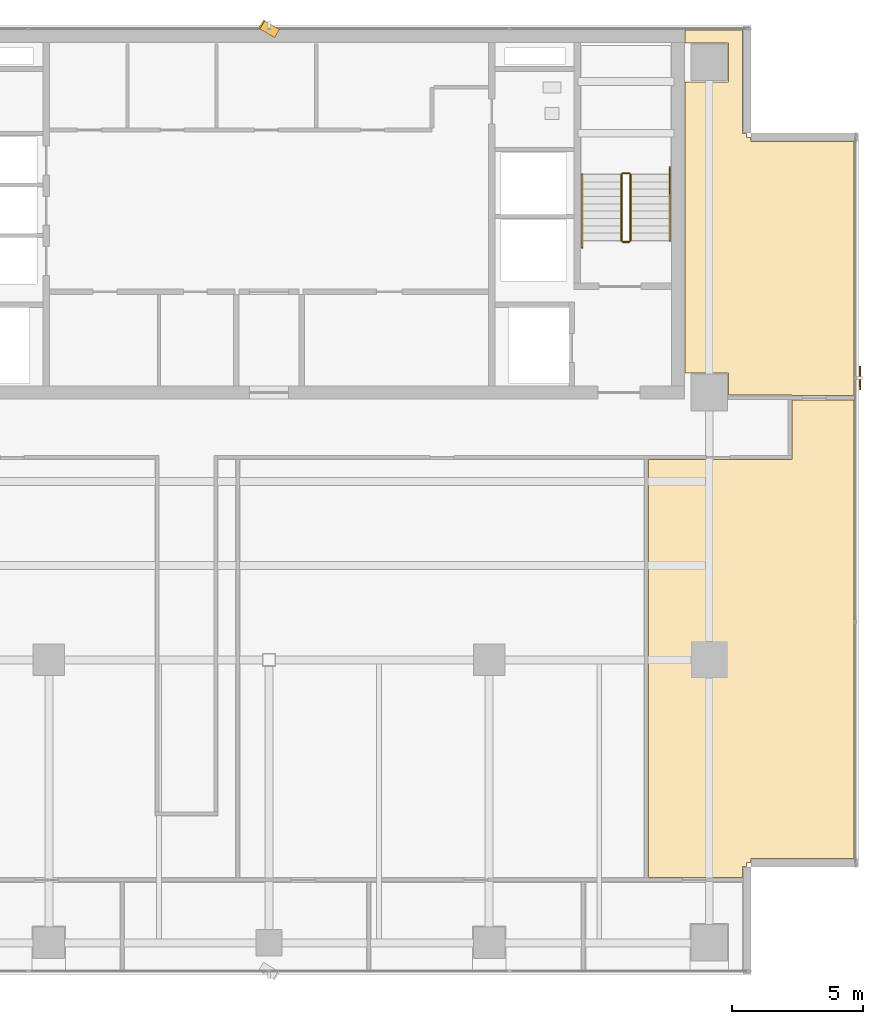
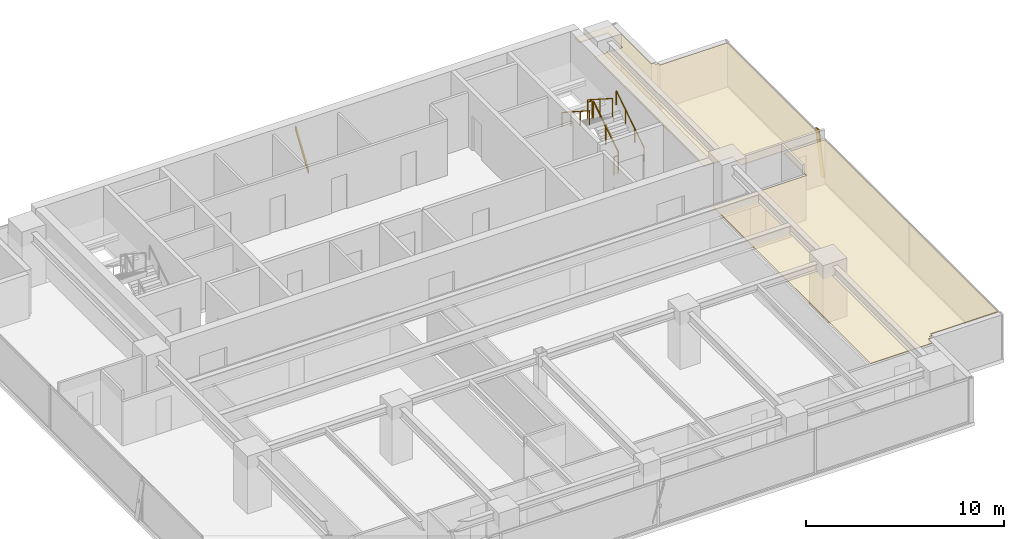
# One storey, part 24 of 25: 6 railings, 2 coverings, 2 shading devices.
"""IFC4 building model written with IfcOpenShell, lengths in metres."""

import ifcopenshell
import ifcopenshell.guid

model = None  # the IFC model being written
_history = None  # IfcOwnerHistory: only IFC2X3 demands one
_inside = {}  # id of a spatial element -> (the spatial element, [elements in it])
_under = {}  # id of a project, library or spatial element -> (it, [spatial elements below it])
_declared = {}  # id of a project -> (the project, [libraries it declares])
_typed = {}  # id of a type object -> (the type object, [elements of that type])
_made_of = {}  # id of a material, layer set ... -> (it, [elements and type objects made of it])


def new_model(schema):
    """Start an empty IFC model of exactly this schema.

    Asked for "IFC4X3", IfcOpenShell would pick the latest addendum, in which some entities
    have other attributes; the version numbers below select the first issue.
    IFC2X3 requires an IfcOwnerHistory on every rooted entity: one is made here for all.
    """
    global model, _history
    if schema == "IFC4X3":
        model = ifcopenshell.file(schema_version=(4, 3, 0, 0))
    else:
        model = ifcopenshell.file(schema=schema)
    _inside.clear()
    _under.clear()
    _declared.clear()
    _typed.clear()
    _made_of.clear()
    _history = None
    if model.schema == "IFC2X3":
        org = make("IfcOrganization", Name="unknown")
        user = make(
            "IfcPersonAndOrganization",
            ThePerson=make("IfcPerson", FamilyName="unknown"),
            TheOrganization=org,
        )
        app = make(
            "IfcApplication",
            ApplicationDeveloper=org,
            Version="unknown",
            ApplicationFullName="unknown",
            ApplicationIdentifier="unknown",
        )
        _history = make(
            "IfcOwnerHistory",
            OwningUser=user,
            OwningApplication=app,
            ChangeAction="ADDED",
            CreationDate=0,
        )
    return model


def make(cls, **values):
    """One entity of the class cls with the attributes given. An attribute that is None is left unset."""
    return model.create_entity(
        cls, **{name: value for name, value in values.items() if value is not None}
    )


def rooted(cls, **values):
    """An entity with a GlobalId (a new one), such as an element, a storey or a relation."""
    return make(cls, GlobalId=ifcopenshell.guid.new(), OwnerHistory=_history, **values)


def si_unit(unit_type, name, prefix=None):
    """IfcSIUnit, for example si_unit("LENGTHUNIT", "METRE", prefix="MILLI")."""
    return make("IfcSIUnit", UnitType=unit_type, Prefix=prefix, Name=name)


def assignment(units):
    """IfcUnitAssignment: the units of a project."""
    return None if units is None else make("IfcUnitAssignment", Units=units)


def point(xyz):
    """IfcCartesianPoint."""
    return None if xyz is None else make("IfcCartesianPoint", Coordinates=xyz)


def direction(xyz):
    """IfcDirection."""
    return None if xyz is None else make("IfcDirection", DirectionRatios=xyz)


def frame(location, z_axis=None, x_axis=None):
    """IfcAxis2Placement3D, a coordinate frame: its origin and axes. An axis left out is left unset."""
    return make(
        "IfcAxis2Placement3D",
        Location=point(location),
        Axis=direction(z_axis),
        RefDirection=direction(x_axis),
    )


def frame_2d(location, x_axis=None):
    """IfcAxis2Placement2D, a coordinate frame in the plane: its origin and x axis."""
    return make(
        "IfcAxis2Placement2D", Location=point(location), RefDirection=direction(x_axis)
    )


def origin():
    """The frame at (0, 0, 0) with its axes left unset."""
    return frame((0.0, 0.0, 0.0))


def origin_2d():
    """The frame at (0, 0) in the plane with its x axis left unset."""
    return frame_2d((0.0, 0.0))


def place(relative_to, where):
    """IfcLocalPlacement: puts the frame where relative to a parent placement (None: the world)."""
    return make(
        "IfcLocalPlacement", PlacementRelTo=relative_to, RelativePlacement=where
    )


def context(
    kind, dimensions, precision=None, world=None, true_north=None, identifier=None
):
    """IfcGeometricRepresentationContext, for example the 3D "Model" context."""
    return make(
        "IfcGeometricRepresentationContext",
        ContextIdentifier=identifier,
        ContextType=kind,
        CoordinateSpaceDimension=dimensions,
        Precision=precision,
        WorldCoordinateSystem=world,
        TrueNorth=true_north,
    )


def subcontext(parent, identifier, kind, view, scale=None):
    """IfcGeometricRepresentationSubContext, for example "Body" below "Model"."""
    return make(
        "IfcGeometricRepresentationSubContext",
        ContextIdentifier=identifier,
        ContextType=kind,
        ParentContext=parent,
        TargetScale=scale,
        TargetView=view,
    )


def project(units=None, contexts=None):
    """IfcProject with its units and contexts."""
    return rooted(
        "IfcProject",
        Name="project",
        RepresentationContexts=contexts,
        UnitsInContext=assignment(units),
    )


def spatial(cls, under=None, at=None, **own):
    """A site, building, storey or space (cls), placed at a placement, below another one or the project."""
    s = rooted(cls, ObjectPlacement=at, **own)
    if under is not None:
        _under.setdefault(under.id(), (under, []))[1].append(s)
    return s


def polyline(points):
    """IfcPolyline through the points."""
    return make("IfcPolyline", Points=[point(p) for p in points])


def profile(cls, at=None, kind="AREA", **sizes):
    """A parametric profile (cls). Its sizes go by their IFC names, for example OverallWidth=200.0."""
    return make(cls, ProfileType=kind, Position=at, **sizes)


def rectangle(**sizes):
    """IfcRectangleProfileDef."""
    return profile("IfcRectangleProfileDef", **sizes)


def outline(outer, holes=None, kind="AREA"):
    """IfcArbitraryClosedProfileDef: a profile drawn as a closed curve; with holes, ...WithVoids."""
    if holes is None:
        return make("IfcArbitraryClosedProfileDef", ProfileType=kind, OuterCurve=outer)
    return make(
        "IfcArbitraryProfileDefWithVoids",
        ProfileType=kind,
        OuterCurve=outer,
        InnerCurves=holes,
    )


def extrude(swept, where, along, depth):
    """IfcExtrudedAreaSolid: the profile swept, set in the frame where, extruded along a direction by depth."""
    return make(
        "IfcExtrudedAreaSolid",
        SweptArea=swept,
        Position=where,
        ExtrudedDirection=direction(along),
        Depth=depth,
    )


def shape(context_of_items, identifier, shape_type, items):
    """IfcShapeRepresentation: the items that make up one representation, for example the "Body"."""
    return make(
        "IfcShapeRepresentation",
        ContextOfItems=context_of_items,
        RepresentationIdentifier=identifier,
        RepresentationType=shape_type,
        Items=items,
    )


def source(mapping_origin, context_of_items, identifier, shape_type, items):
    """IfcRepresentationMap: a shape defined once, which mapped items show again and again."""
    return make(
        "IfcRepresentationMap",
        MappingOrigin=mapping_origin,
        MappedRepresentation=shape(context_of_items, identifier, shape_type, items),
    )


def transform(
    local_origin,
    x_axis=None,
    y_axis=None,
    z_axis=None,
    scale=None,
    scale2=None,
    scale3=None,
    uniform=True,
):
    """IfcCartesianTransformationOperator3D, or its non-uniform kind. x_axis, y_axis, z_axis: its Axis1, 2, 3."""
    if uniform:
        return make(
            "IfcCartesianTransformationOperator3D",
            Axis1=direction(x_axis),
            Axis2=direction(y_axis),
            LocalOrigin=point(local_origin),
            Scale=scale,
            Axis3=direction(z_axis),
        )
    return make(
        "IfcCartesianTransformationOperator3DnonUniform",
        Axis1=direction(x_axis),
        Axis2=direction(y_axis),
        LocalOrigin=point(local_origin),
        Scale=scale,
        Axis3=direction(z_axis),
        Scale2=scale2,
        Scale3=scale3,
    )


def mapped(mapping_source, mapping_target):
    """IfcMappedItem: shows the shape of a source again, moved by a transform."""
    return make(
        "IfcMappedItem", MappingSource=mapping_source, MappingTarget=mapping_target
    )


def material(Name=None, Category=None):
    """IfcMaterial."""
    return make("IfcMaterial", Name=Name, Category=Category)


def layer(
    of_material, thickness, ventilated=None, Name=None, Category=None, Priority=None
):
    """IfcMaterialLayer: one layer of a wall or slab, of a material (None: an air gap)."""
    return make(
        "IfcMaterialLayer",
        Material=of_material,
        LayerThickness=thickness,
        IsVentilated=ventilated,
        Name=Name,
        Category=Category,
        Priority=Priority,
    )


def layer_set(layers, Name=None):
    """IfcMaterialLayerSet."""
    return make("IfcMaterialLayerSet", MaterialLayers=layers, LayerSetName=Name)


def material_profile(
    of_material, cross_section, Name=None, Category=None, Priority=None
):
    """IfcMaterialProfile: a cross section and its material."""
    return make(
        "IfcMaterialProfile",
        Name=Name,
        Material=of_material,
        Profile=cross_section,
        Priority=Priority,
        Category=Category,
    )


def profile_set(profiles, Name=None, composite=None):
    """IfcMaterialProfileSet."""
    return make(
        "IfcMaterialProfileSet",
        Name=Name,
        MaterialProfiles=profiles,
        CompositeProfile=composite,
    )


def made_of(thing, what):
    """Note that an element or type object is made of a material, layer set ...; save() writes the relation."""
    if what is not None:
        _made_of.setdefault(what.id(), (what, []))[1].append(thing)
    return thing


def type_object(cls, material=None, **own):
    """A type object (cls), such as IfcWallType, which elements share."""
    return made_of(rooted(cls, **own), material)


def element(
    cls,
    number,
    at=None,
    inside=None,
    cuts=None,
    type_object=None,
    material=None,
    context=None,
    identifier="Body",
    shape_type=None,
    held_by="IfcProductDefinitionShape",
    body=None,
    shapes=None,
    **own,
):
    """One element of the class cls, such as IfcWall. Its Tag is "e" and its number.

    at: its placement. inside: the storey or other place that contains it. cuts: it is an
    opening in that element (IfcRelVoidsElement). A single representation is given by context,
    identifier, shape_type and body (its items); several are given by shapes. held_by: the class
    of the entity that holds the representations. save() writes the other relations.
    """
    e = rooted(cls, Tag="e%d" % number, ObjectPlacement=at, **own)
    if body is not None:
        shapes = [shape(context, identifier, shape_type, body)]
    if shapes is not None:
        e.Representation = make(held_by, Representations=shapes)
    if inside is not None:
        _inside.setdefault(inside.id(), (inside, []))[1].append(e)
    if cuts is not None:
        rooted(
            "IfcRelVoidsElement", RelatingBuildingElement=cuts, RelatedOpeningElement=e
        )
    if type_object is not None:
        _typed.setdefault(type_object.id(), (type_object, []))[1].append(e)
    return made_of(e, material)


def aggregate(whole, parts):
    """IfcRelAggregates: a whole, such as a stair, and the parts it consists of."""
    return rooted("IfcRelAggregates", RelatingObject=whole, RelatedObjects=parts)


def save(model, path):
    """Write the relations noted so far, then the file.

    IfcRelAggregates (storeys below a building ...), IfcRelContainedInSpatialStructure (elements
    in a storey), IfcRelDefinesByType, IfcRelAssociatesMaterial and IfcRelDeclares: one each for
    every whole, place, type object, material and project.
    """
    for whole, parts in _under.values():
        aggregate(whole, parts)
    for where, things in _inside.values():
        rooted(
            "IfcRelContainedInSpatialStructure",
            RelatedElements=things,
            RelatingStructure=where,
        )
    for kind, things in _typed.values():
        rooted("IfcRelDefinesByType", RelatedObjects=things, RelatingType=kind)
    for what, things in _made_of.values():
        rooted("IfcRelAssociatesMaterial", RelatedObjects=things, RelatingMaterial=what)
    for by, libraries in _declared.values():
        rooted("IfcRelDeclares", RelatingContext=by, RelatedDefinitions=libraries)
    model.write(path)


model = new_model("IFC4")

# Units and contexts
model_context = context("Model", 3, precision=1e-05, world=origin(), true_north=direction((0.0, 1.0)))
body_context = subcontext(model_context, "Body", "Model", "MODEL_VIEW")
ifc_project = project(units=[si_unit("LENGTHUNIT", "METRE"), si_unit("AREAUNIT", "SQUARE_METRE"), si_unit("VOLUMEUNIT", "CUBIC_METRE"), si_unit("PLANEANGLEUNIT", "RADIAN"), si_unit("MASSUNIT", "GRAM", prefix="KILO")], contexts=[model_context])

# Site, building, storey
site_placement = place(None, origin())
site = spatial("IfcSite", under=ifc_project, at=site_placement, CompositionType="ELEMENT")
building_placement = place(site_placement, origin())
building = spatial("IfcBuilding", under=site, at=building_placement, Name="Sumidabori Civic Tower", CompositionType="ELEMENT")
storey_placement = place(building_placement, frame((0.0, 0.0, 232.39990234375)))
storey = spatial("IfcBuildingStorey", under=building, at=storey_placement, Name="L60", CompositionType="ELEMENT", Elevation=232.39990234375)

# Coverings
ifc_material_1 = material(Name="Perforated Timber Acoustic Ceiling", Category="wood")
ifc_layer = layer(ifc_material_1, 0.044921875, Name="Perforated Timber Acoustic Ceiling")
ifc_layer_set = layer_set([ifc_layer], Name="Perforated Timber Acoustic Ceiling")
covering_type = type_object("IfcCoveringType", Name="CV-CEIL-AC2", PredefinedType="CEILING", material=ifc_layer_set)
covering_1_placement = place(storey_placement, frame((0.0, 0.0, 2.72021484375)))
element("IfcCovering", 1, at=covering_1_placement, inside=storey, type_object=covering_type, Name="Room Acoustic Ceiling L60-02", PredefinedType="CEILING", context=body_context, shape_type="SweptSolid", body=[
    extrude(outline(polyline([(17.5400390625, 22.06005859375), (17.5400390625, 23.5400390625), (15.8779296875, 23.5400390625), (15.8779296875, 24.030029296875), (18.072021484375, 24.030029296875), (18.072021484375, 20.092041015625), (18.22998046875, 20.092041015625), (18.22998046875, 19.929931640625), (18.39208984375, 19.929931640625), (18.39208984375, 19.77197265625), (22.330078125, 19.77197265625), (22.330078125, 10.08740234375), (19.955078125, 10.08740234375), (19.955078125, 10.10498046875), (17.5400390625, 10.10498046875), (17.5400390625, 10.93994140625), (15.8779296875, 10.93994140625), (15.8779296875, 22.06005859375), (17.5400390625, 22.06005859375)])), origin(), (0.0, 0.0, 1.0), 0.044921875),
])
covering_2_placement = place(storey_placement, frame((0.0, 0.0, 2.72021484375)))
element("IfcCovering", 2, at=covering_2_placement, inside=storey, type_object=covering_type, Name="Room Acoustic Ceiling L60-04", PredefinedType="CEILING", context=body_context, shape_type="SweptSolid", body=[
    extrude(outline(polyline([(18.072021484375, -8.3125), (14.487548828125, -8.3125), (14.487548828125, 7.64501953125), (19.955078125, 7.64501953125), (19.955078125, 9.91259765625), (22.330078125, 9.91259765625), (22.330078125, -7.572021484375), (18.39208984375, -7.572021484375), (18.39208984375, -7.72998046875), (18.22998046875, -7.72998046875), (18.22998046875, -7.89208984375), (18.072021484375, -7.89208984375), (18.072021484375, -8.3125)])), origin(), (0.0, 0.0, 1.0), 0.044921875),
])

# Railings
ifc_material_2 = material(Name="Stainless Steel Hairline Finish", Category="steel")
railing_type_1 = type_object("IfcRailingType", Name="RL-HANDRAIL", PredefinedType="HANDRAIL", material=ifc_material_2)
railing_1_placement = place(storey_placement, frame((15.2900390625, 16.0, 0.18017578125)))
element("IfcRailing", 3, at=railing_1_placement, inside=storey, type_object=railing_type_1, Name="L60 ST-2 stair handrail 1", PredefinedType="HANDRAIL", context=body_context, shape_type="SweptSolid", body=[
    extrude(rectangle(XDim=0.048095703125, YDim=0.048095703125, at=origin_2d()), frame((0.0, 0.0, 0.8759765625), z_axis=(0.0, 0.840675598268, 0.541539046124), x_axis=(-1.0, 0.0, 0.0)), (0.0, 0.0, 1.0), 3.330810546875),
    extrude(rectangle(XDim=0.0419921875, YDim=0.0419921875, at=origin_2d()), origin(), (0.0, 0.0, 1.0), 0.851806640625),
    extrude(rectangle(XDim=0.0419921875, YDim=0.0419921875, at=origin_2d()), frame((0.0, 0.933349609375, 0.601318359375)), (0.0, 0.0, 1.0), 0.851806640625),
    extrude(rectangle(XDim=0.0419921875, YDim=0.0419921875, at=origin_2d()), frame((0.0, 1.86669921875, 1.202392578125)), (0.0, 0.0, 1.0), 0.851806640625),
    extrude(rectangle(XDim=0.0419921875, YDim=0.0419921875, at=origin_2d()), frame((0.0, 2.800048828125, 1.8037109375)), (0.0, 0.0, 1.0), 0.851806640625),
])
railing_2_placement = place(storey_placement, frame((11.949951171875, 18.52001953125, 1.97998046875)))
element("IfcRailing", 4, at=railing_2_placement, inside=storey, type_object=railing_type_1, Name="L60 ST-2 stair handrail 2", PredefinedType="HANDRAIL", context=body_context, shape_type="SweptSolid", body=[
    extrude(rectangle(XDim=0.048095703125, YDim=0.048095703125, at=origin_2d()), frame((0.0, 0.0, 0.8759765625), z_axis=(0.0, -0.84064222762, 0.54159084662), x_axis=(1.0, 0.0, 0.0)), (0.0, 0.0, 1.0), 3.330810546875),
    extrude(rectangle(XDim=0.0419921875, YDim=0.0419921875, at=origin_2d()), origin(), (0.0, 0.0, 1.0), 0.851806640625),
    extrude(rectangle(XDim=0.0419921875, YDim=0.0419921875, at=origin_2d()), frame((0.0, -0.933349609375, 0.601318359375)), (0.0, 0.0, 1.0), 0.851806640625),
    extrude(rectangle(XDim=0.0419921875, YDim=0.0419921875, at=origin_2d()), frame((0.0, -1.86669921875, 1.20263671875)), (0.0, 0.0, 1.0), 0.851806640625),
    extrude(rectangle(XDim=0.0419921875, YDim=0.0419921875, at=origin_2d()), frame((0.0, -2.800048828125, 1.803955078125)), (0.0, 0.0, 1.0), 0.851806640625),
])
ifc_material_3 = material(Name="Steel SN490", Category="steel")
railing_type_2 = type_object("IfcRailingType", Name="RL-STAIR-GUARD", PredefinedType="GUARDRAIL", material=ifc_material_3)
railing_3_placement = place(storey_placement, frame((13.7900390625, 16.0, 0.18017578125)))
element("IfcRailing", 5, at=railing_3_placement, inside=storey, type_object=railing_type_2, Name="L60 ST-2 stair guard 1", PredefinedType="GUARDRAIL", context=body_context, shape_type="SweptSolid", body=[
    extrude(rectangle(XDim=0.048095703125, YDim=0.048095703125, at=origin_2d()), frame((0.0, 0.0, 1.1259765625), z_axis=(0.0, 0.841199657755, 0.540724639528), x_axis=(-1.0, 0.0, 0.0)), (0.0, 0.0, 1.0), 2.995849609375),
    extrude(rectangle(XDim=0.0419921875, YDim=0.0419921875, at=origin_2d()), origin(), (0.0, 0.0, 1.0), 1.101806640625),
    extrude(rectangle(XDim=0.0419921875, YDim=0.0419921875, at=origin_2d()), frame((0.0, 1.260009765625, 0.81005859375)), (0.0, 0.0, 1.0), 1.101806640625),
    extrude(rectangle(XDim=0.0419921875, YDim=0.0419921875, at=origin_2d()), frame((0.0, 2.52001953125, 1.619873046875)), (0.0, 0.0, 1.0), 1.101806640625),
])
railing_4_placement = place(storey_placement, frame((13.739990234375, 18.570068359375, 1.800048828125)))
element("IfcRailing", 6, at=railing_4_placement, inside=storey, type_object=railing_type_2, Name="L60 ST-2 stair guard 2", PredefinedType="GUARDRAIL", context=body_context, shape_type="SweptSolid", body=[
    extrude(rectangle(XDim=0.048095703125, YDim=0.048095703125, at=origin_2d()), frame((0.0, 0.0, 1.1259765625), z_axis=(-1.0, 0.0, 0.0), x_axis=(0.0, -1.0, 0.0)), (0.0, 0.0, 1.0), 0.239990234375),
    extrude(rectangle(XDim=0.0419921875, YDim=0.0419921875, at=origin_2d()), origin(), (0.0, 0.0, 1.0), 1.101806640625),
    extrude(rectangle(XDim=0.0419921875, YDim=0.0419921875, at=origin_2d()), frame((-0.239990234375, 0.0, 0.0)), (0.0, 0.0, 1.0), 1.101806640625),
])
railing_5_placement = place(storey_placement, frame((13.449951171875, 18.52001953125, 1.97998046875)))
element("IfcRailing", 7, at=railing_5_placement, inside=storey, type_object=railing_type_2, Name="L60 ST-2 stair guard 3", PredefinedType="GUARDRAIL", context=body_context, shape_type="SweptSolid", body=[
    extrude(rectangle(XDim=0.048095703125, YDim=0.048095703125, at=origin_2d()), frame((0.0, 0.0, 1.1259765625), z_axis=(0.0, -0.841162588446, 0.540782303519), x_axis=(1.0, 0.0, 0.0)), (0.0, 0.0, 1.0), 2.995849609375),
    extrude(rectangle(XDim=0.0419921875, YDim=0.0419921875, at=origin_2d()), origin(), (0.0, 0.0, 1.0), 1.101806640625),
    extrude(rectangle(XDim=0.0419921875, YDim=0.0419921875, at=origin_2d()), frame((0.0, -1.260009765625, 0.81005859375)), (0.0, 0.0, 1.0), 1.101806640625),
    extrude(rectangle(XDim=0.0419921875, YDim=0.0419921875, at=origin_2d()), frame((0.0, -2.52001953125, 1.6201171875)), (0.0, 0.0, 1.0), 1.101806640625),
])
railing_6_placement = place(storey_placement, frame((13.739990234375, 15.949951171875, 0.0)))
element("IfcRailing", 8, at=railing_6_placement, inside=storey, type_object=railing_type_2, Name="L60 ST-2 stair guard 4", PredefinedType="GUARDRAIL", context=body_context, shape_type="SweptSolid", body=[
    extrude(rectangle(XDim=0.048095703125, YDim=0.048095703125, at=origin_2d()), frame((0.0, 0.0, 1.1259765625), z_axis=(-1.0, 0.0, 0.0), x_axis=(0.0, -1.0, 0.0)), (0.0, 0.0, 1.0), 0.239990234375),
    extrude(rectangle(XDim=0.0419921875, YDim=0.0419921875, at=origin_2d()), origin(), (0.0, 0.0, 1.0), 1.101806640625),
    extrude(rectangle(XDim=0.0419921875, YDim=0.0419921875, at=origin_2d()), frame((-0.239990234375, 0.0, 0.0)), (0.0, 0.0, 1.0), 1.101806640625),
])

# Shading devices
ifc_material_4 = material(Name="Anodised Bronze Aluminium AW-6063-T6", Category="aluminium")
ifc_material_profile = material_profile(ifc_material_4, rectangle(XDim=0.054931640625, YDim=0.360107421875, at=origin_2d()), Name="BRONZE FIN 360x55")
ifc_profile_set = profile_set([ifc_material_profile], Name="Anodised Bronze Aluminium AW-6063-T6")
shading_device_type = type_object("IfcShadingDeviceType", Name="SH-FIN-360", PredefinedType="USERDEFINED", material=ifc_profile_set)
shared_shape_1 = source(origin(), body_context, "Body", "SweptSolid", [
    extrude(rectangle(XDim=0.054931640625, YDim=0.360107421875, at=origin_2d()), origin(), (0.0, 0.0, 1.0), 2.768798828125),
])
shading_device_1_placement = place(storey_placement, frame((0.280029296875, 23.909912109375, 0.02001953125), z_axis=(-0.202272600211, 0.122827258978, 0.971596243126), x_axis=(0.830473922694, -0.504293885925, 0.236644755582)))
element("IfcShadingDevice", 9, at=shading_device_1_placement, inside=storey, type_object=shading_device_type, Name="Bronze Anodised Diagonal Fin L60-02", ObjectType="FIN", PredefinedType="USERDEFINED", context=body_context, shape_type="MappedRepresentation", body=[
    mapped(shared_shape_1, transform((0.0, 0.0, 0.0), x_axis=(1.0, 0.0, 0.0), y_axis=(0.0, 1.0, 0.0), z_axis=(0.0, 0.0, 1.0), scale=1.0)),
])
shared_shape_2 = source(origin(), body_context, "Body", "SweptSolid", [
    extrude(rectangle(XDim=0.054931640625, YDim=0.360107421875, at=origin_2d()), origin(), (0.0, 0.0, 1.0), 2.747802734375),
])
shading_device_2_placement = place(storey_placement, frame((22.550048828125, 10.476806640625, 0.02001953125), z_axis=(0.0, 0.203730721899, 0.979026962323), x_axis=(-1.0, 0.0, 0.0)))
element("IfcShadingDevice", 10, at=shading_device_2_placement, inside=storey, type_object=shading_device_type, Name="Bronze Anodised Diagonal Fin L60-02", ObjectType="FIN", PredefinedType="USERDEFINED", context=body_context, shape_type="MappedRepresentation", body=[
    mapped(shared_shape_2, transform((0.0, 0.0, 0.0), x_axis=(1.0, 0.0, 0.0), y_axis=(0.0, 1.0, 0.0), z_axis=(0.0, 0.0, 1.0), scale=1.0)),
])

save(model, "model.ifc")
